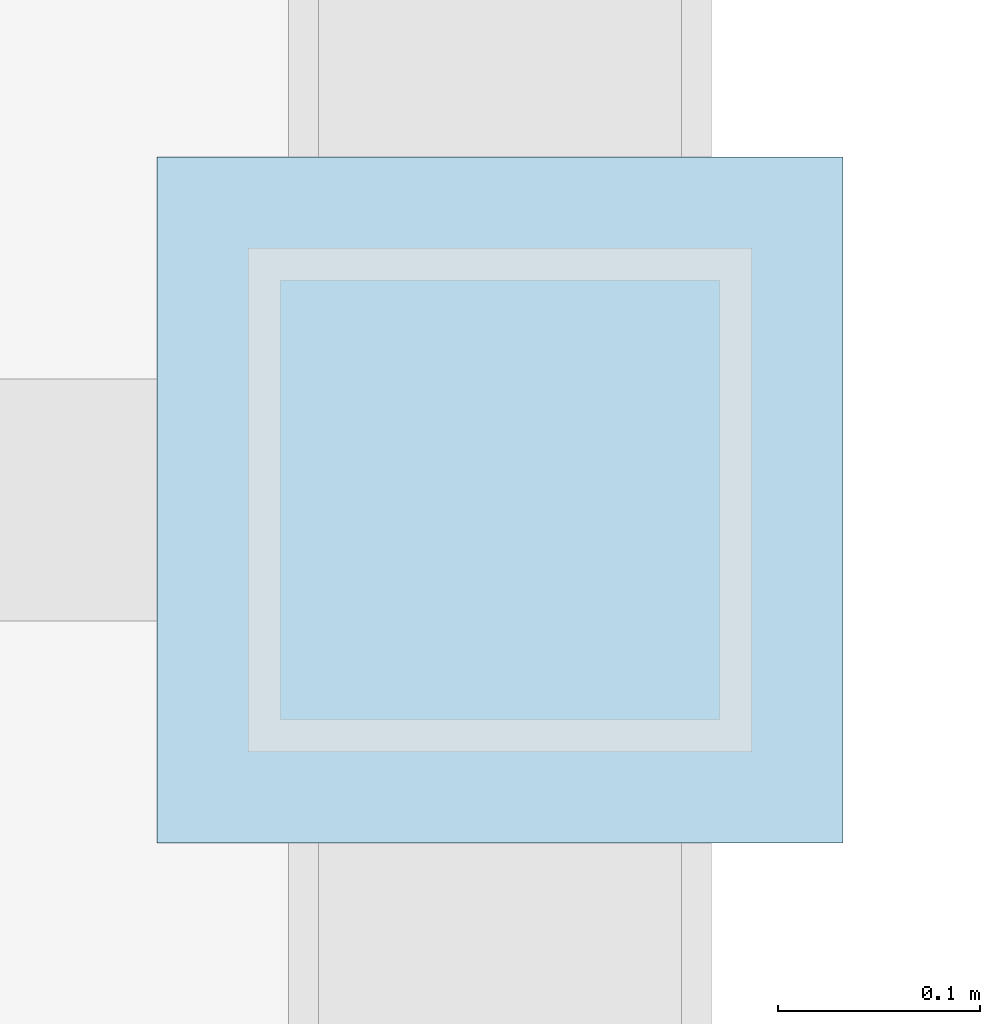
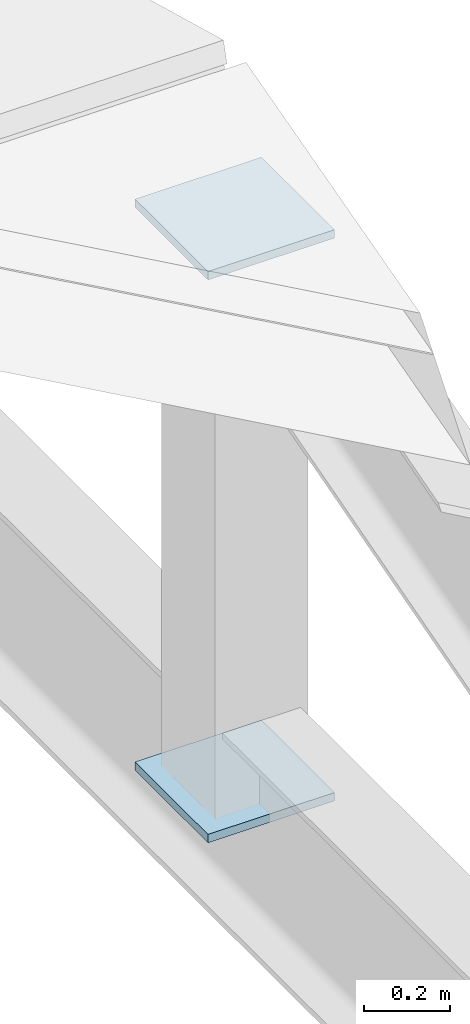
# One storey, part 122 of 179: 2 plates.
"""IFC4 building model written with IfcOpenShell, lengths in metres."""

from ifc_helpers import new_model, si_unit, direction, frame, origin, origin_2d, place, context, subcontext, project, spatial, rectangle, extrude, material, layer, layer_set, type_object, element, save


model = new_model("IFC4")

# Units and contexts
model_context = context("Model", 3, precision=1e-05, world=origin(), true_north=direction((0.0, 1.0)))
body_context = subcontext(model_context, "Body", "Model", "MODEL_VIEW")
ifc_project = project(units=[si_unit("LENGTHUNIT", "METRE"), si_unit("AREAUNIT", "SQUARE_METRE"), si_unit("VOLUMEUNIT", "CUBIC_METRE"), si_unit("PLANEANGLEUNIT", "RADIAN"), si_unit("MASSUNIT", "GRAM", prefix="KILO")], contexts=[model_context])

# Site, building, storey
site_placement = place(None, origin())
site = spatial("IfcSite", under=ifc_project, at=site_placement, CompositionType="ELEMENT")
building_placement = place(site_placement, origin())
building = spatial("IfcBuilding", under=site, at=building_placement, Name="Zlatoyarsky Gate Stadium", CompositionType="ELEMENT")
storey_placement = place(building_placement, frame((0.0, 0.0, 10.60009765625)))
storey = spatial("IfcBuildingStorey", under=building, at=storey_placement, Name="L02", CompositionType="ELEMENT", Elevation=10.60009765625)

# Plates
ifc_material = material(Name="Steel S355", Category="steel")
ifc_layer = layer(ifc_material, 0.02392578125)
ifc_layer_set = layer_set([ifc_layer], Name="Steel S355")
plate_type = type_object("IfcPlateType", Name="STEEL HOLLOW CHORD SPLICE SHEET 24", PredefinedType="SHEET", material=ifc_layer_set)
for number, where, z_axis, x_axis, name in (
    (1, (197.5, 143.5, -0.5419921875), (0.0, 0.0, 1.0), (1.0, 0.0, 0.0), "Node closure plate ND-SP1 NCAP-KP-V6_NE-3A"),
    (2, (197.5, 143.5, 1.057861328125), (0.0, 0.0, 1.0), (1.0, 0.0, 0.0), "Node closure plate ND-SP1 NCAP-KP-V6_NE-3B"),
):
    element("IfcPlate", number, at=place(storey_placement, frame(where, z_axis=z_axis, x_axis=x_axis)), inside=storey, type_object=plate_type, Name=name, PredefinedType="SHEET", context=body_context, shape_type="SweptSolid", body=[
        extrude(rectangle(XDim=0.340087890625, YDim=0.340087890625, at=origin_2d()), origin(), (0.0, 0.0, 1.0), 0.02392578125),
    ])

save(model, "model.ifc")
